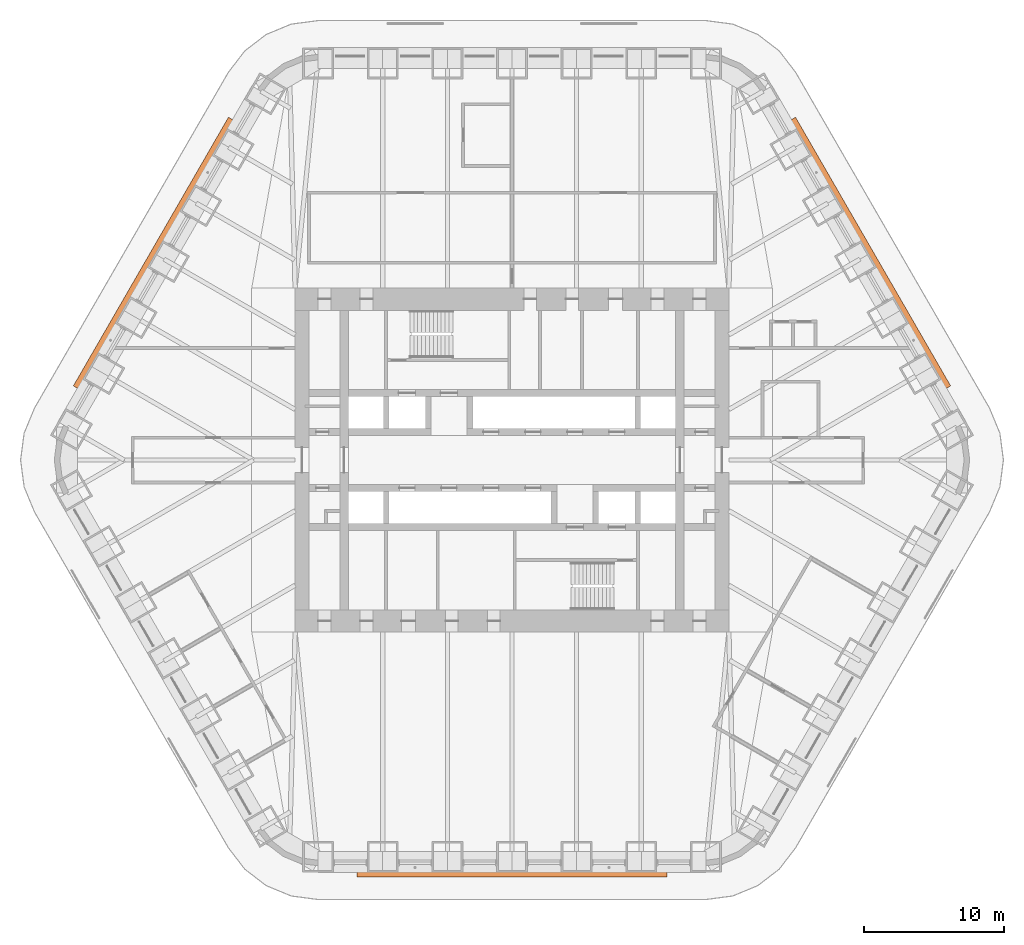
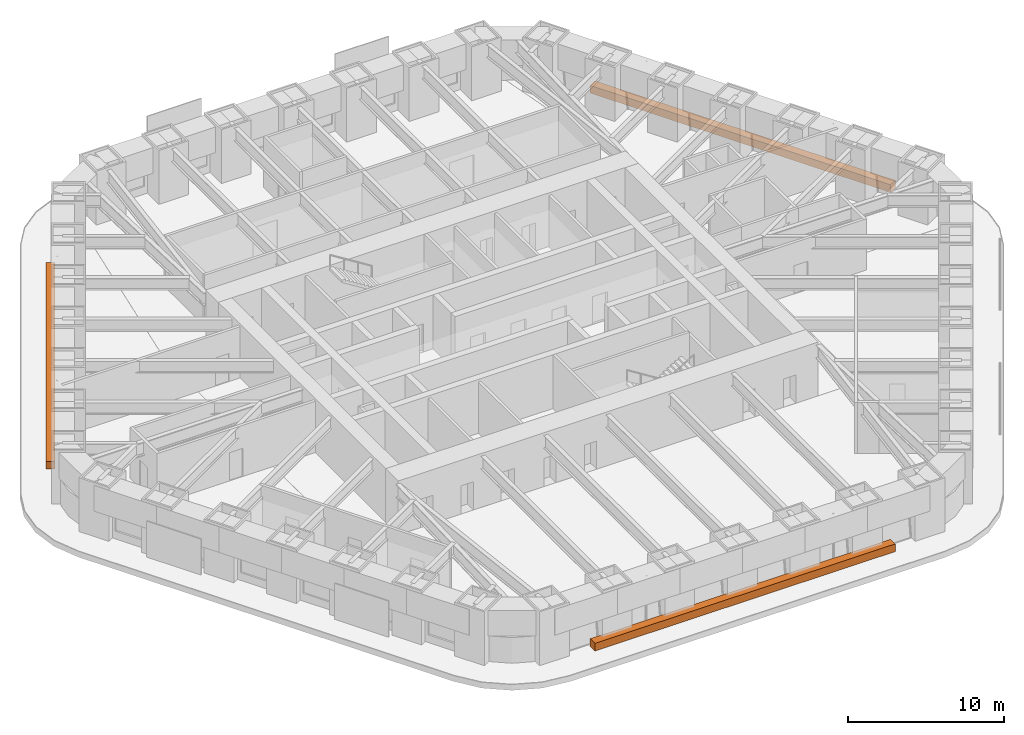
# One storey, part 20 of 20: 3 proxies.
"""IFC4 building model written with IfcOpenShell, lengths in metres."""

from ifc_helpers import new_model, si_unit, direction, frame, origin, origin_2d, place, context, subcontext, project, spatial, rectangle, extrude, material, element, save


model = new_model("IFC4")

# Units and contexts
model_context = context("Model", 3, precision=1e-05, world=origin(), true_north=direction((0.0, 1.0)))
body_context = subcontext(model_context, "Body", "Model", "MODEL_VIEW")
ifc_project = project(units=[si_unit("LENGTHUNIT", "METRE"), si_unit("AREAUNIT", "SQUARE_METRE"), si_unit("VOLUMEUNIT", "CUBIC_METRE"), si_unit("PLANEANGLEUNIT", "RADIAN"), si_unit("MASSUNIT", "GRAM", prefix="KILO")], contexts=[model_context])

# Site, building, storey
site_placement = place(None, origin())
site = spatial("IfcSite", under=ifc_project, at=site_placement, CompositionType="ELEMENT")
building_placement = place(site_placement, origin())
building = spatial("IfcBuilding", under=site, at=building_placement, Name="Tarfa Lantern Tower", CompositionType="ELEMENT")
storey_placement = place(building_placement, frame((0.0, 0.0, 215.5)))
storey = spatial("IfcBuildingStorey", under=building, at=storey_placement, Name="L48", CompositionType="ELEMENT", Elevation=215.5)

# Proxies
ifc_material = material(Name="Planting bed")
for number, where, z_axis, x_axis, name in (
    (1, (25.5478515625, 14.75, 0.0), (0.0, 0.0, 1.0), (-0.5, 0.866025403784, 0.0), "Ledge planter"),
    (2, (-25.5478515625, 14.75, 0.0), (0.0, 0.0, 1.0), (-0.5, -0.866025403784, 0.0), "Ledge planter"),
    (3, (0.0, -29.5, 0.0), (0.0, 0.0, 1.0), (1.0, 0.0, 0.0), "Ledge planter"),
):
    element("IfcBuildingElementProxy", number, at=place(storey_placement, frame(where, z_axis=z_axis, x_axis=x_axis)), inside=storey, material=ifc_material, Name=name, ObjectType="PLANTER", PredefinedType="USERDEFINED", context=body_context, shape_type="SweptSolid", body=[
        extrude(rectangle(XDim=22.170166015625, YDim=0.60009765625, at=origin_2d()), origin(), (0.0, 0.0, 1.0), 0.60009765625),
    ])

save(model, "model.ifc")
